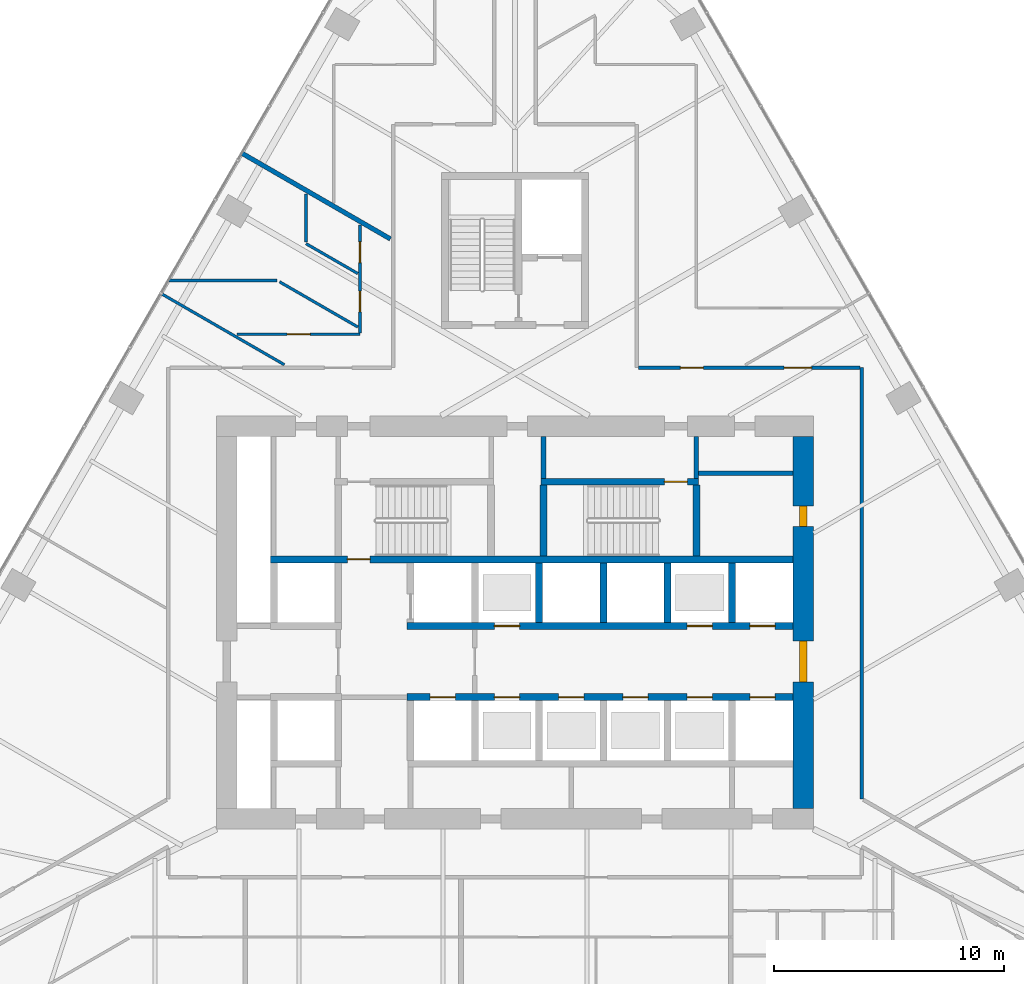
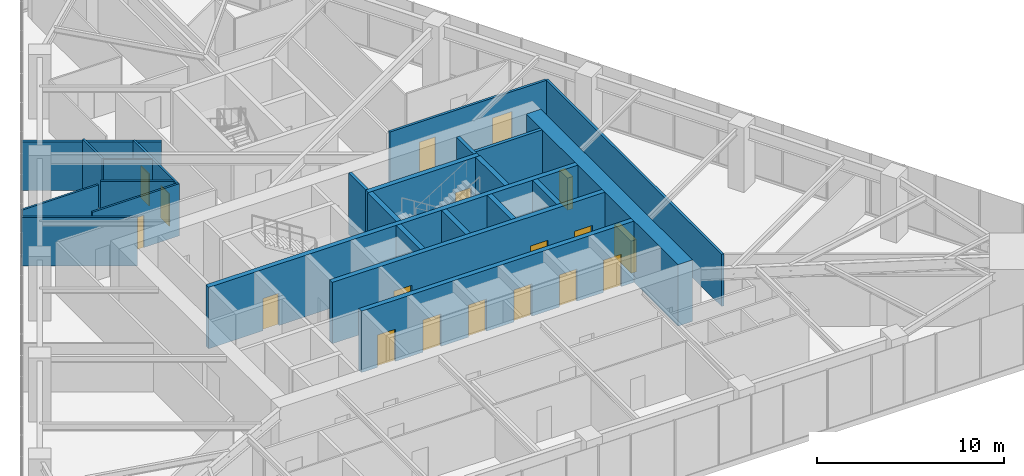
# One storey, part 18 of 21: 24 walls, 18 doors, 18 openings.
"""IFC4 building model written with IfcOpenShell, lengths in metres."""

from ifc_helpers import new_model, si_unit, direction, frame, frame_2d, origin, place, context, subcontext, project, spatial, rectangle, extrude, material, layer, layer_set, type_object, element, fill, save


model = new_model("IFC4")

# Units and contexts
model_context = context("Model", 3, precision=1e-05, world=origin(), true_north=direction((0.0, 1.0)))
body_context = subcontext(model_context, "Body", "Model", "MODEL_VIEW")
ifc_project = project(units=[si_unit("LENGTHUNIT", "METRE"), si_unit("AREAUNIT", "SQUARE_METRE"), si_unit("VOLUMEUNIT", "CUBIC_METRE"), si_unit("PLANEANGLEUNIT", "RADIAN"), si_unit("MASSUNIT", "GRAM", prefix="KILO")], contexts=[model_context])

# Site, building, storey
site_placement = place(None, origin())
site = spatial("IfcSite", under=ifc_project, at=site_placement, CompositionType="ELEMENT")
building_placement = place(site_placement, origin())
building = spatial("IfcBuilding", under=site, at=building_placement, Name="Firuza Gate Tower and Library", CompositionType="ELEMENT")
storey_placement = place(building_placement, frame((0.0, 0.0, 94.60009765625)))
storey = spatial("IfcBuildingStorey", under=building, at=storey_placement, Name="L21", CompositionType="ELEMENT", Elevation=94.60009765625)

# Walls
ifc_material_1 = material(Name="Plasterboard on steel studs", Category="steel")
ifc_layer_1 = layer(ifc_material_1, 0.199951171875)
ifc_layer_set_1 = layer_set([ifc_layer_1], Name="Core partition 200 EI 60")
wall_type_1 = type_object("IfcWallType", Name="Core partition 200 EI 60", PredefinedType="PARTITIONING", material=ifc_layer_set_1)
wall_1_placement = place(storey_placement, frame((83.0, 81.4951171875, 0.0), z_axis=(0.0, 0.0, 1.0), x_axis=(1.0, 0.0, 0.0)))
element("IfcWall", 1, at=wall_1_placement, inside=storey, type_object=wall_type_1, Name="Core partition L21 4", PredefinedType="PARTITIONING", context=body_context, shape_type="SweptSolid", body=[
    extrude(rectangle(XDim=4.10009765625, YDim=0.199951171875, at=frame_2d((2.050048828125, 0.0))), origin(), (0.0, 0.0, 1.0), 4.0),
])
for number, where, z_axis, x_axis, name in (
    (2, (76.239990234375, 81.280029296875, 0.0), (0.0, 0.0, 1.0), (0.0, 1.0, 0.0), "Core partition L21 13"),
    (3, (82.89990234375, 81.280029296875, 0.0), (0.0, 0.0, 1.0), (0.0, 1.0, 0.0), "Core partition L21 15"),
):
    element("IfcWall", number, at=place(storey_placement, frame(where, z_axis=z_axis, x_axis=x_axis)), inside=storey, type_object=wall_type_1, Name=name, PredefinedType="PARTITIONING", context=body_context, shape_type="SweptSolid", body=[
        extrude(rectangle(XDim=1.820068359375, YDim=0.199951171875, at=frame_2d((0.91015625, 0.0))), origin(), (0.0, 0.0, 1.0), 4.0),
    ])

# Wall, openings, doors
ifc_material_2 = material(Name="Concrete C80/95", Category="concrete")
ifc_layer_2 = layer(ifc_material_2, 0.300048828125)
ifc_layer_set_2 = layer_set([ifc_layer_2], Name="Core wall 300 C80/95")
wall_type_2 = type_object("IfcWallType", Name="Core wall 300 C80/95", PredefinedType="SHEAR", material=ifc_layer_set_2)
wall_2_placement = place(storey_placement, frame((70.300048828125, 71.75, 0.0), z_axis=(0.0, 0.0, 1.0), x_axis=(1.0, 0.0, 0.0)))
wall_2 = element("IfcWall", 4, at=wall_2_placement, inside=storey, type_object=wall_type_2, Name="Core wall L21 8", PredefinedType="SHEAR", context=body_context, shape_type="SweptSolid", body=[
    extrude(rectangle(XDim=16.800048828125, YDim=0.300048828125, at=frame_2d((8.39990234375, 0.0))), origin(), (0.0, 0.0, 1.0), 4.0),
])
opening_1_placement = place(wall_2_placement, frame((1.0, 0.0, 0.0)))
opening_1 = element("IfcOpeningElement", 5, at=opening_1_placement, cuts=wall_2, Name="Opening LD-FF1-L21", PredefinedType="OPENING", context=body_context, shape_type="SweptSolid", body=[
    extrude(rectangle(XDim=1.10009765625, YDim=2.10009765625, at=frame_2d((0.550048828125, 1.050048828125))), frame((0.0, 0.16015625, 0.0), z_axis=(0.0, -1.0, 0.0), x_axis=(1.0, 0.0, 0.0)), (0.0, 0.0, 1.0), 0.320068359375),
])
opening_2_placement = place(wall_2_placement, frame((3.800048828125, 0.0, 0.0)))
opening_2 = element("IfcOpeningElement", 6, at=opening_2_placement, cuts=wall_2, Name="Opening LD-LR1-L21", PredefinedType="OPENING", context=body_context, shape_type="SweptSolid", body=[
    extrude(rectangle(XDim=1.10009765625, YDim=2.10009765625, at=frame_2d((0.550048828125, 1.050048828125))), frame((0.0, 0.16015625, 0.0), z_axis=(0.0, -1.0, 0.0), x_axis=(1.0, 0.0, 0.0)), (0.0, 0.0, 1.0), 0.320068359375),
])
opening_3_placement = place(wall_2_placement, frame((6.60009765625, 0.0, 0.0)))
opening_3 = element("IfcOpeningElement", 7, at=opening_3_placement, cuts=wall_2, Name="Opening LD-LR2-L21", PredefinedType="OPENING", context=body_context, shape_type="SweptSolid", body=[
    extrude(rectangle(XDim=1.10009765625, YDim=2.10009765625, at=frame_2d((0.550048828125, 1.050048828125))), frame((0.0, 0.16015625, 0.0), z_axis=(0.0, -1.0, 0.0), x_axis=(1.0, 0.0, 0.0)), (0.0, 0.0, 1.0), 0.320068359375),
])
opening_4_placement = place(wall_2_placement, frame((9.39990234375, 0.0, 0.0)))
opening_4 = element("IfcOpeningElement", 8, at=opening_4_placement, cuts=wall_2, Name="Opening LD-LR3-L21", PredefinedType="OPENING", context=body_context, shape_type="SweptSolid", body=[
    extrude(rectangle(XDim=1.10009765625, YDim=2.10009765625, at=frame_2d((0.550048828125, 1.050048828125))), frame((0.0, 0.16015625, 0.0), z_axis=(0.0, -1.0, 0.0), x_axis=(1.0, 0.0, 0.0)), (0.0, 0.0, 1.0), 0.320068359375),
])
opening_5_placement = place(wall_2_placement, frame((12.199951171875, 0.0, 0.0)))
opening_5 = element("IfcOpeningElement", 9, at=opening_5_placement, cuts=wall_2, Name="Opening LD-LR5-L21", PredefinedType="OPENING", context=body_context, shape_type="SweptSolid", body=[
    extrude(rectangle(XDim=1.10009765625, YDim=2.10009765625, at=frame_2d((0.550048828125, 1.050048828125))), frame((0.0, 0.16015625, 0.0), z_axis=(0.0, -1.0, 0.0), x_axis=(1.0, 0.0, 0.0)), (0.0, 0.0, 1.0), 0.320068359375),
])
opening_6_placement = place(wall_2_placement, frame((14.925048828125, 0.0, 0.0)))
opening_6 = element("IfcOpeningElement", 10, at=opening_6_placement, cuts=wall_2, Name="Opening LD-LR7-L21", PredefinedType="OPENING", context=body_context, shape_type="SweptSolid", body=[
    extrude(rectangle(XDim=1.10009765625, YDim=2.10009765625, at=frame_2d((0.550048828125, 1.050048828125))), frame((0.0, 0.16015625, 0.0), z_axis=(0.0, -1.0, 0.0), x_axis=(1.0, 0.0, 0.0)), (0.0, 0.0, 1.0), 0.320068359375),
])
ifc_material_3 = material(Name="Stainless steel", Category="steel")
door_type_1 = type_object("IfcDoorType", Name="Lift landing door 1100x2100", OperationType="DOUBLE_DOOR_SLIDING", PredefinedType="DOOR", material=ifc_material_3)
door_1_placement = place(opening_1_placement, origin())
door_1 = element("IfcDoor", 11, at=door_1_placement, inside=storey, type_object=door_type_1, Name="Landing door FF1 L21", OperationType="DOUBLE_DOOR_SLIDING", OverallHeight=2.10009765625, OverallWidth=1.10009765625, PredefinedType="DOOR", context=body_context, shape_type="SweptSolid", body=[
    extrude(rectangle(XDim=1.10009765625, YDim=2.10009765625, at=frame_2d((0.550048828125, 1.050048828125))), frame((0.0, 0.02490234375, 0.0), z_axis=(0.0, -1.0, 0.0), x_axis=(1.0, 0.0, 0.0)), (0.0, 0.0, 1.0), 0.050048828125),
])
fill(opening_1, door_1)
door_2_placement = place(opening_2_placement, origin())
door_2 = element("IfcDoor", 12, at=door_2_placement, inside=storey, type_object=door_type_1, Name="Landing door LR1 L21", OperationType="DOUBLE_DOOR_SLIDING", OverallHeight=2.10009765625, OverallWidth=1.10009765625, PredefinedType="DOOR", context=body_context, shape_type="SweptSolid", body=[
    extrude(rectangle(XDim=1.10009765625, YDim=2.10009765625, at=frame_2d((0.550048828125, 1.050048828125))), frame((0.0, 0.02490234375, 0.0), z_axis=(0.0, -1.0, 0.0), x_axis=(1.0, 0.0, 0.0)), (0.0, 0.0, 1.0), 0.050048828125),
])
fill(opening_2, door_2)
door_3_placement = place(opening_3_placement, origin())
door_3 = element("IfcDoor", 13, at=door_3_placement, inside=storey, type_object=door_type_1, Name="Landing door LR2 L21", OperationType="DOUBLE_DOOR_SLIDING", OverallHeight=2.10009765625, OverallWidth=1.10009765625, PredefinedType="DOOR", context=body_context, shape_type="SweptSolid", body=[
    extrude(rectangle(XDim=1.10009765625, YDim=2.10009765625, at=frame_2d((0.550048828125, 1.050048828125))), frame((0.0, 0.02490234375, 0.0), z_axis=(0.0, -1.0, 0.0), x_axis=(1.0, 0.0, 0.0)), (0.0, 0.0, 1.0), 0.050048828125),
])
fill(opening_3, door_3)
door_4_placement = place(opening_4_placement, origin())
door_4 = element("IfcDoor", 14, at=door_4_placement, inside=storey, type_object=door_type_1, Name="Landing door LR3 L21", OperationType="DOUBLE_DOOR_SLIDING", OverallHeight=2.10009765625, OverallWidth=1.10009765625, PredefinedType="DOOR", context=body_context, shape_type="SweptSolid", body=[
    extrude(rectangle(XDim=1.10009765625, YDim=2.10009765625, at=frame_2d((0.550048828125, 1.050048828125))), frame((0.0, 0.02490234375, 0.0), z_axis=(0.0, -1.0, 0.0), x_axis=(1.0, 0.0, 0.0)), (0.0, 0.0, 1.0), 0.050048828125),
])
fill(opening_4, door_4)
door_5_placement = place(opening_5_placement, origin())
door_5 = element("IfcDoor", 15, at=door_5_placement, inside=storey, type_object=door_type_1, Name="Landing door LR5 L21", OperationType="DOUBLE_DOOR_SLIDING", OverallHeight=2.10009765625, OverallWidth=1.10009765625, PredefinedType="DOOR", context=body_context, shape_type="SweptSolid", body=[
    extrude(rectangle(XDim=1.10009765625, YDim=2.10009765625, at=frame_2d((0.550048828125, 1.050048828125))), frame((0.0, 0.02490234375, 0.0), z_axis=(0.0, -1.0, 0.0), x_axis=(1.0, 0.0, 0.0)), (0.0, 0.0, 1.0), 0.050048828125),
])
fill(opening_5, door_5)
door_6_placement = place(opening_6_placement, origin())
door_6 = element("IfcDoor", 16, at=door_6_placement, inside=storey, type_object=door_type_1, Name="Landing door LR7 L21", OperationType="DOUBLE_DOOR_SLIDING", OverallHeight=2.10009765625, OverallWidth=1.10009765625, PredefinedType="DOOR", context=body_context, shape_type="SweptSolid", body=[
    extrude(rectangle(XDim=1.10009765625, YDim=2.10009765625, at=frame_2d((0.550048828125, 1.050048828125))), frame((0.0, 0.02490234375, 0.0), z_axis=(0.0, -1.0, 0.0), x_axis=(1.0, 0.0, 0.0)), (0.0, 0.0, 1.0), 0.050048828125),
])
fill(opening_6, door_6)

wall_3_placement = place(storey_placement, frame((70.300048828125, 74.85009765625, 0.0), z_axis=(0.0, 0.0, 1.0), x_axis=(1.0, 0.0, 0.0)))
wall_3 = element("IfcWall", 17, at=wall_3_placement, inside=storey, type_object=wall_type_2, Name="Core wall L21 10", PredefinedType="SHEAR", context=body_context, shape_type="SweptSolid", body=[
    extrude(rectangle(XDim=16.800048828125, YDim=0.300048828125, at=frame_2d((8.39990234375, 0.0))), origin(), (0.0, 0.0, 1.0), 4.0),
])
opening_7_placement = place(wall_3_placement, frame((3.800048828125, 0.0, 0.0)))
opening_7 = element("IfcOpeningElement", 18, at=opening_7_placement, cuts=wall_3, Name="Opening LD-LR4-L21", PredefinedType="OPENING", context=body_context, shape_type="SweptSolid", body=[
    extrude(rectangle(XDim=1.10009765625, YDim=2.10009765625, at=frame_2d((0.550048828125, 1.050048828125))), frame((0.0, 0.16015625, 0.0), z_axis=(0.0, -1.0, 0.0), x_axis=(1.0, 0.0, 0.0)), (0.0, 0.0, 1.0), 0.320068359375),
])
opening_8_placement = place(wall_3_placement, frame((12.199951171875, 0.0, 0.0)))
opening_8 = element("IfcOpeningElement", 19, at=opening_8_placement, cuts=wall_3, Name="Opening LD-LR6-L21", PredefinedType="OPENING", context=body_context, shape_type="SweptSolid", body=[
    extrude(rectangle(XDim=1.10009765625, YDim=2.10009765625, at=frame_2d((0.550048828125, 1.050048828125))), frame((0.0, 0.16015625, 0.0), z_axis=(0.0, -1.0, 0.0), x_axis=(1.0, 0.0, 0.0)), (0.0, 0.0, 1.0), 0.320068359375),
])
opening_9_placement = place(wall_3_placement, frame((14.925048828125, 0.0, 0.0)))
opening_9 = element("IfcOpeningElement", 20, at=opening_9_placement, cuts=wall_3, Name="Opening LD-LR8-L21", PredefinedType="OPENING", context=body_context, shape_type="SweptSolid", body=[
    extrude(rectangle(XDim=1.10009765625, YDim=2.10009765625, at=frame_2d((0.550048828125, 1.050048828125))), frame((0.0, 0.16015625, 0.0), z_axis=(0.0, -1.0, 0.0), x_axis=(1.0, 0.0, 0.0)), (0.0, 0.0, 1.0), 0.320068359375),
])
door_7_placement = place(opening_7_placement, origin())
door_7 = element("IfcDoor", 21, at=door_7_placement, inside=storey, type_object=door_type_1, Name="Landing door LR4 L21", OperationType="DOUBLE_DOOR_SLIDING", OverallHeight=2.10009765625, OverallWidth=1.10009765625, PredefinedType="DOOR", context=body_context, shape_type="SweptSolid", body=[
    extrude(rectangle(XDim=1.10009765625, YDim=2.10009765625, at=frame_2d((0.550048828125, 1.050048828125))), frame((0.0, 0.02490234375, 0.0), z_axis=(0.0, -1.0, 0.0), x_axis=(1.0, 0.0, 0.0)), (0.0, 0.0, 1.0), 0.050048828125),
])
fill(opening_7, door_7)
door_8_placement = place(opening_8_placement, origin())
door_8 = element("IfcDoor", 22, at=door_8_placement, inside=storey, type_object=door_type_1, Name="Landing door LR6 L21", OperationType="DOUBLE_DOOR_SLIDING", OverallHeight=2.10009765625, OverallWidth=1.10009765625, PredefinedType="DOOR", context=body_context, shape_type="SweptSolid", body=[
    extrude(rectangle(XDim=1.10009765625, YDim=2.10009765625, at=frame_2d((0.550048828125, 1.050048828125))), frame((0.0, 0.02490234375, 0.0), z_axis=(0.0, -1.0, 0.0), x_axis=(1.0, 0.0, 0.0)), (0.0, 0.0, 1.0), 0.050048828125),
])
fill(opening_8, door_8)
door_9_placement = place(opening_9_placement, origin())
door_9 = element("IfcDoor", 23, at=door_9_placement, inside=storey, type_object=door_type_1, Name="Landing door LR8 L21", OperationType="DOUBLE_DOOR_SLIDING", OverallHeight=2.10009765625, OverallWidth=1.10009765625, PredefinedType="DOOR", context=body_context, shape_type="SweptSolid", body=[
    extrude(rectangle(XDim=1.10009765625, YDim=2.10009765625, at=frame_2d((0.550048828125, 1.050048828125))), frame((0.0, 0.02490234375, 0.0), z_axis=(0.0, -1.0, 0.0), x_axis=(1.0, 0.0, 0.0)), (0.0, 0.0, 1.0), 0.050048828125),
])
fill(opening_9, door_9)

# Walls
for number, where, z_axis, x_axis, name in (
    (24, (76.050048828125, 75.0, 0.0), (0.0, 0.0, 1.0), (0.0, 1.0, 0.0), "Core wall L21 20"),
    (25, (78.85009765625, 75.0, 0.0), (0.0, 0.0, 1.0), (0.0, 1.0, 0.0), "Core wall L21 22"),
    (26, (81.64990234375, 75.0, 0.0), (0.0, 0.0, 1.0), (0.0, 1.0, 0.0), "Core wall L21 24"),
    (27, (84.449951171875, 75.0, 0.0), (0.0, 0.0, 1.0), (0.0, 1.0, 0.0), "Core wall L21 26"),
):
    element("IfcWall", number, at=place(storey_placement, frame(where, z_axis=z_axis, x_axis=x_axis)), inside=storey, type_object=wall_type_2, Name=name, PredefinedType="SHEAR", context=body_context, shape_type="SweptSolid", body=[
        extrude(rectangle(XDim=2.60009765625, YDim=0.300048828125, at=frame_2d((1.300048828125, 0.0))), origin(), (0.0, 0.0, 1.0), 4.0),
    ])

# Wall, opening, door
wall_4_placement = place(storey_placement, frame((64.35009765625, 77.75, 0.0), z_axis=(0.0, 0.0, 1.0), x_axis=(1.0, 0.0, 0.0)))
wall_4 = element("IfcWall", 28, at=wall_4_placement, inside=storey, type_object=wall_type_2, Name="Core wall L21 27", PredefinedType="SHEAR", context=body_context, shape_type="SweptSolid", body=[
    extrude(rectangle(XDim=22.75, YDim=0.300048828125, at=frame_2d((11.375, 0.0))), origin(), (0.0, 0.0, 1.0), 4.0),
])
opening_10_placement = place(wall_4_placement, frame((3.344970703125, 0.0, 0.0)))
opening_10 = element("IfcOpeningElement", 29, at=opening_10_placement, cuts=wall_4, Name="Opening L21-K12", PredefinedType="OPENING", context=body_context, shape_type="SweptSolid", body=[
    extrude(rectangle(XDim=1.0, YDim=2.10009765625, at=frame_2d((0.5, 1.050048828125))), frame((0.0, 0.16015625, 0.0), z_axis=(0.0, -1.0, 0.0), x_axis=(1.0, 0.0, 0.0)), (0.0, 0.0, 1.0), 0.320068359375),
])
ifc_material_4 = material(Name="Steel", Category="steel")
door_type_2 = type_object("IfcDoorType", Name="Fire door 1000x2100 FD90", OperationType="NOTDEFINED", PredefinedType="DOOR", material=ifc_material_4)
door_10_placement = place(opening_10_placement, origin())
door_10 = element("IfcDoor", 30, at=door_10_placement, inside=storey, type_object=door_type_2, Name="Door L21-K12", OperationType="SINGLE_SWING_LEFT", OverallHeight=2.10009765625, OverallWidth=1.0, PredefinedType="DOOR", context=body_context, shape_type="SweptSolid", body=[
    extrude(rectangle(XDim=1.0, YDim=2.10009765625, at=frame_2d((0.5, 1.050048828125))), frame((0.0, 0.02490234375, 0.0), z_axis=(0.0, -1.0, 0.0), x_axis=(1.0, 0.0, 0.0)), (0.0, 0.0, 1.0), 0.050048828125),
])
fill(opening_10, door_10)

wall_5_placement = place(storey_placement, frame((76.139892578125, 81.1298828125, 0.0), z_axis=(0.0, 0.0, 1.0), x_axis=(1.0, 0.0, 0.0)))
wall_5 = element("IfcWall", 31, at=wall_5_placement, inside=storey, type_object=wall_type_2, Name="Core wall L21 29", PredefinedType="SHEAR", context=body_context, shape_type="SweptSolid", body=[
    extrude(rectangle(XDim=6.860107421875, YDim=0.300048828125, at=frame_2d((3.43017578125, 0.0))), origin(), (0.0, 0.0, 1.0), 4.0),
])
opening_11_placement = place(wall_5_placement, frame((5.364990234375, 0.0, 0.0)))
opening_11 = element("IfcOpeningElement", 32, at=opening_11_placement, cuts=wall_5, Name="Opening L21-K15", PredefinedType="OPENING", context=body_context, shape_type="SweptSolid", body=[
    extrude(rectangle(XDim=1.0, YDim=2.10009765625, at=frame_2d((0.5, 1.050048828125))), frame((0.0, 0.16015625, 0.0), z_axis=(0.0, -1.0, 0.0), x_axis=(1.0, 0.0, 0.0)), (0.0, 0.0, 1.0), 0.320068359375),
])
door_11_placement = place(opening_11_placement, origin())
door_11 = element("IfcDoor", 33, at=door_11_placement, inside=storey, type_object=door_type_2, Name="Door L21-K15", OperationType="SINGLE_SWING_RIGHT", OverallHeight=2.10009765625, OverallWidth=1.0, PredefinedType="DOOR", context=body_context, shape_type="SweptSolid", body=[
    extrude(rectangle(XDim=1.0, YDim=2.10009765625, at=frame_2d((0.5, 1.050048828125))), frame((0.0, 0.02490234375, 0.0), z_axis=(0.0, -1.0, 0.0), x_axis=(1.0, 0.0, 0.0)), (0.0, 0.0, 1.0), 0.050048828125),
])
fill(opening_11, door_11)

# Walls
for number, where, z_axis, x_axis, name in (
    (34, (76.239990234375, 77.89990234375, 0.0), (0.0, 0.0, 1.0), (0.0, 1.0, 0.0), "Core wall L21 32"),
    (35, (82.89990234375, 77.89990234375, 0.0), (0.0, 0.0, 1.0), (0.0, 1.0, 0.0), "Core wall L21 33"),
):
    element("IfcWall", number, at=place(storey_placement, frame(where, z_axis=z_axis, x_axis=x_axis)), inside=storey, type_object=wall_type_2, Name=name, PredefinedType="SHEAR", context=body_context, shape_type="SweptSolid", body=[
        extrude(rectangle(XDim=3.080078125, YDim=0.300048828125, at=frame_2d((1.5400390625, 0.0))), origin(), (0.0, 0.0, 1.0), 4.0),
    ])

# Wall, openings, doors
ifc_material_5 = material(Name="Concrete C80/95", Category="concrete")
ifc_layer_3 = layer(ifc_material_5, 0.89990234375)
ifc_layer_set_3 = layer_set([ifc_layer_3], Name="Core wall 900 C80/95")
wall_type_3 = type_object("IfcWallType", Name="Core wall 900 C80/95", PredefinedType="SHEAR", material=ifc_layer_set_3)
wall_6_placement = place(storey_placement, frame((87.550048828125, 66.89990234375, 0.0), z_axis=(0.0, 0.0, 1.0), x_axis=(0.0, 1.0, 0.0)))
wall_6 = element("IfcWall", 36, at=wall_6_placement, inside=storey, type_object=wall_type_3, Name="Core wall L21 4", PredefinedType="SHEAR", context=body_context, shape_type="SweptSolid", body=[
    extrude(rectangle(XDim=16.2001953125, YDim=0.89990234375, at=frame_2d((8.10009765625, 0.0))), origin(), (0.0, 0.0, 1.0), 4.0),
])
opening_12_placement = place(wall_6_placement, frame((5.5, 0.0, 0.0)))
opening_12 = element("IfcOpeningElement", 37, at=opening_12_placement, cuts=wall_6, Name="Opening L21-K23", PredefinedType="OPENING", context=body_context, shape_type="SweptSolid", body=[
    extrude(rectangle(XDim=1.800048828125, YDim=2.10009765625, at=frame_2d((0.89990234375, 1.050048828125))), frame((0.0, 0.4599609375, 0.0), z_axis=(0.0, -1.0, 0.0), x_axis=(1.0, 0.0, 0.0)), (0.0, 0.0, 1.0), 0.919921875),
])
opening_13_placement = place(wall_6_placement, frame((12.2724609375, 0.0, 0.0)))
opening_13 = element("IfcOpeningElement", 38, at=opening_13_placement, cuts=wall_6, Name="Opening L21-K31", PredefinedType="OPENING", context=body_context, shape_type="SweptSolid", body=[
    extrude(rectangle(XDim=0.89990234375, YDim=2.10009765625, at=frame_2d((0.449951171875, 1.050048828125))), frame((0.0, 0.4599609375, 0.0), z_axis=(0.0, -1.0, 0.0), x_axis=(1.0, 0.0, 0.0)), (0.0, 0.0, 1.0), 0.919921875),
])
ifc_material_6 = material(Name="Steel", Category="steel")
door_type_3 = type_object("IfcDoorType", Name="Fire door 1800x2100 FD30S", OperationType="NOTDEFINED", PredefinedType="DOOR", material=ifc_material_6)
door_12_placement = place(opening_12_placement, origin())
door_12 = element("IfcDoor", 39, at=door_12_placement, inside=storey, type_object=door_type_3, Name="Door L21-K23", OperationType="SINGLE_SWING_RIGHT", OverallHeight=2.10009765625, OverallWidth=1.800048828125, PredefinedType="DOOR", context=body_context, shape_type="SweptSolid", body=[
    extrude(rectangle(XDim=1.800048828125, YDim=2.10009765625, at=frame_2d((0.89990234375, 1.050048828125))), frame((0.0, 0.169921875, 0.0), z_axis=(0.0, -1.0, 0.0), x_axis=(1.0, 0.0, 0.0)), (0.0, 0.0, 1.0), 0.33984375),
])
fill(opening_12, door_12)
ifc_material_7 = material(Name="Steel", Category="steel")
door_type_4 = type_object("IfcDoorType", Name="Fire door 900x2100 FD30S", OperationType="NOTDEFINED", PredefinedType="DOOR", material=ifc_material_7)
door_13_placement = place(opening_13_placement, origin())
door_13 = element("IfcDoor", 40, at=door_13_placement, inside=storey, type_object=door_type_4, Name="Door L21-K31", OperationType="SINGLE_SWING_RIGHT", OverallHeight=2.10009765625, OverallWidth=0.89990234375, PredefinedType="DOOR", context=body_context, shape_type="SweptSolid", body=[
    extrude(rectangle(XDim=0.89990234375, YDim=2.10009765625, at=frame_2d((0.449951171875, 1.050048828125))), frame((0.0, 0.169921875, 0.0), z_axis=(0.0, -1.0, 0.0), x_axis=(1.0, 0.0, 0.0)), (0.0, 0.0, 1.0), 0.33984375),
])
fill(opening_13, door_13)

ifc_material_8 = material(Name="Gypsum board partition")
ifc_layer_4 = layer(ifc_material_8, 0.14990234375)
ifc_layer_set_4 = layer_set([ifc_layer_4], Name="Corridor wall 150 double board on steel studs")
wall_type_4 = type_object("IfcWallType", Name="Corridor wall 150 double board on steel studs", PredefinedType="PARTITIONING", material=ifc_layer_set_4)
wall_7_placement = place(storey_placement, frame((90.0244140625, 86.10009765625, 0.0), z_axis=(0.0, 0.0, 1.0), x_axis=(-1.0, 0.0, 0.0)))
wall_7 = element("IfcWall", 41, at=wall_7_placement, inside=storey, type_object=wall_type_4, Name="f:L21:w006", PredefinedType="PARTITIONING", context=body_context, shape_type="SweptSolid", body=[
    extrude(rectangle(XDim=9.6494140625, YDim=0.14990234375, at=frame_2d((4.82470703125, 0.0))), origin(), (0.0, 0.0, 1.0), 3.39990234375),
])
opening_14_placement = place(wall_7_placement, frame((2.1025390625, 0.0, 0.0)))
opening_14 = element("IfcOpeningElement", 42, at=opening_14_placement, cuts=wall_7, Name="Opening L21-14", PredefinedType="OPENING", context=body_context, shape_type="SweptSolid", body=[
    extrude(rectangle(XDim=1.199951171875, YDim=2.10009765625, at=frame_2d((0.60009765625, 1.050048828125))), frame((0.0, 0.0849609375, 0.0), z_axis=(0.0, -1.0, 0.0), x_axis=(1.0, 0.0, 0.0)), (0.0, 0.0, 1.0), 0.169921875),
])
opening_15_placement = place(wall_7_placement, frame((6.82275390625, 0.0, 0.0)))
opening_15 = element("IfcOpeningElement", 43, at=opening_15_placement, cuts=wall_7, Name="Opening L21-15", PredefinedType="OPENING", context=body_context, shape_type="SweptSolid", body=[
    extrude(rectangle(XDim=1.0, YDim=2.10009765625, at=frame_2d((0.5, 1.050048828125))), frame((0.0, 0.0849609375, 0.0), z_axis=(0.0, -1.0, 0.0), x_axis=(1.0, 0.0, 0.0)), (0.0, 0.0, 1.0), 0.169921875),
])
ifc_material_9 = material(Name="Steel door and timber leaf", Category="steel")
door_type_5 = type_object("IfcDoorType", Name="Fire door 1000 x 2100 steel frame, timber leaf", OperationType="NOTDEFINED", PredefinedType="DOOR", material=ifc_material_9)
door_14_placement = place(opening_15_placement, origin())
door_14 = element("IfcDoor", 44, at=door_14_placement, inside=storey, type_object=door_type_5, Name="f:L21:d015", OperationType="SINGLE_SWING_LEFT", OverallHeight=2.10009765625, OverallWidth=1.0, PredefinedType="DOOR", context=body_context, shape_type="SweptSolid", body=[
    extrude(rectangle(XDim=1.0, YDim=2.10009765625, at=frame_2d((0.5, 1.050048828125))), frame((0.0, 0.02490234375, 0.0), z_axis=(0.0, -1.0, 0.0), x_axis=(1.0, 0.0, 0.0)), (0.0, 0.0, 1.0), 0.050048828125),
])
fill(opening_15, door_14)
ifc_material_10 = material(Name="Steel door and timber leaf", Category="steel")
door_type_6 = type_object("IfcDoorType", Name="Fire door 1200 x 2100 steel frame, double leaf", OperationType="NOTDEFINED", PredefinedType="DOOR", material=ifc_material_10)
door_15_placement = place(opening_14_placement, origin())
door_15 = element("IfcDoor", 45, at=door_15_placement, inside=storey, type_object=door_type_6, Name="f:L21:d014", OperationType="DOUBLE_DOOR_SINGLE_SWING", OverallHeight=2.10009765625, OverallWidth=1.199951171875, PredefinedType="DOOR", context=body_context, shape_type="SweptSolid", body=[
    extrude(rectangle(XDim=1.199951171875, YDim=2.10009765625, at=frame_2d((0.60009765625, 1.050048828125))), frame((0.0, 0.02490234375, 0.0), z_axis=(0.0, -1.0, 0.0), x_axis=(1.0, 0.0, 0.0)), (0.0, 0.0, 1.0), 0.050048828125),
])
fill(opening_14, door_15)

# Walls
wall_8_placement = place(storey_placement, frame((90.10009765625, 67.3212890625, 0.0), z_axis=(0.0, 0.0, 1.0), x_axis=(0.0, 1.0, 0.0)))
element("IfcWall", 46, at=wall_8_placement, inside=storey, type_object=wall_type_4, Name="f:L21:w027", PredefinedType="PARTITIONING", context=body_context, shape_type="SweptSolid", body=[
    extrude(rectangle(XDim=18.7783203125, YDim=0.14990234375, at=frame_2d((9.38916015625, 0.0))), origin(), (0.0, 0.0, 1.0), 3.39990234375),
])
ifc_material_11 = material(Name="Gypsum board partition")
ifc_layer_5 = layer(ifc_material_11, 0.199951171875)
ifc_layer_set_5 = layer_set([ifc_layer_5], Name="Demising wall 200 acoustic double stud")
wall_type_5 = type_object("IfcWallType", Name="Demising wall 200 acoustic double stud", PredefinedType="PARTITIONING", material=ifc_layer_set_5)
wall_9_placement = place(storey_placement, frame((69.572998046875, 91.705810546875, 0.0), z_axis=(0.0, 0.0, 1.0), x_axis=(-0.866024622953, 0.500001352437, 0.0)))
element("IfcWall", 47, at=wall_9_placement, inside=storey, type_object=wall_type_5, Name="f:L21:w050", PredefinedType="PARTITIONING", context=body_context, shape_type="SweptSolid", body=[
    extrude(rectangle(XDim=7.451171875, YDim=0.199951171875, at=frame_2d((3.7255859375, 0.0))), origin(), (0.0, 0.0, 1.0), 3.164794921875),
])

# Wall, opening, door
ifc_material_12 = material(Name="Gypsum board partition")
ifc_layer_6 = layer(ifc_material_12, 0.1201171875)
ifc_layer_set_6 = layer_set([ifc_layer_6], Name="Wet-area partition 120 moisture-resistant board")
wall_type_6 = type_object("IfcWallType", Name="Wet-area partition 120 moisture-resistant board", PredefinedType="PARTITIONING", material=ifc_layer_set_6)
wall_10_placement = place(storey_placement, frame((62.896240234375, 87.550048828125, 0.0), z_axis=(0.0, 0.0, 1.0), x_axis=(1.0, 0.0, 0.0)))
wall_10 = element("IfcWall", 48, at=wall_10_placement, inside=storey, type_object=wall_type_6, Name="f:L21:w007", PredefinedType="PARTITIONING", context=body_context, shape_type="SweptSolid", body=[
    extrude(rectangle(XDim=5.353759765625, YDim=0.1201171875, at=frame_2d((2.6767578125, 0.0))), origin(), (0.0, 0.0, 1.0), 3.39990234375),
])
opening_16_placement = place(wall_10_placement, frame((2.177001953125, 0.0, 0.0)))
opening_16 = element("IfcOpeningElement", 49, at=opening_16_placement, cuts=wall_10, Name="Opening L21-16", PredefinedType="OPENING", context=body_context, shape_type="SweptSolid", body=[
    extrude(rectangle(XDim=1.0, YDim=2.10009765625, at=frame_2d((0.5, 1.050048828125))), frame((0.0, 0.070068359375, 0.0), z_axis=(0.0, -1.0, 0.0), x_axis=(1.0, 0.0, 0.0)), (0.0, 0.0, 1.0), 0.14013671875),
])
ifc_material_13 = material(Name="Timber door", Category="wood")
door_type_7 = type_object("IfcDoorType", Name="Door 1000 x 2100 timber leaf", OperationType="NOTDEFINED", PredefinedType="DOOR", material=ifc_material_13)
door_16_placement = place(opening_16_placement, origin())
door_16 = element("IfcDoor", 50, at=door_16_placement, inside=storey, type_object=door_type_7, Name="f:L21:d016", OperationType="SINGLE_SWING_RIGHT", OverallHeight=2.10009765625, OverallWidth=1.0, PredefinedType="DOOR", context=body_context, shape_type="SweptSolid", body=[
    extrude(rectangle(XDim=1.0, YDim=2.10009765625, at=frame_2d((0.5, 1.050048828125))), frame((0.0, 0.02490234375, 0.0), z_axis=(0.0, -1.0, 0.0), x_axis=(1.0, 0.0, 0.0)), (0.0, 0.0, 1.0), 0.050048828125),
])
fill(opening_16, door_16)

# Wall
wall_11_placement = place(storey_placement, frame((59.926513671875, 89.89990234375, 0.0), z_axis=(0.0, 0.0, 1.0), x_axis=(1.0, 0.0, 0.0)))
element("IfcWall", 51, at=wall_11_placement, inside=storey, type_object=wall_type_6, Name="f:L21:w009", PredefinedType="PARTITIONING", context=body_context, shape_type="SweptSolid", body=[
    extrude(rectangle(XDim=4.71435546875, YDim=0.1201171875, at=frame_2d((2.357177734375, 0.0))), origin(), (0.0, 0.0, 1.0), 3.164794921875),
])

# Wall, openings, doors
wall_12_placement = place(storey_placement, frame((68.25, 87.610107421875, 0.0), z_axis=(0.0, 0.0, 1.0), x_axis=(0.0, 1.0, 0.0)))
wall_12 = element("IfcWall", 52, at=wall_12_placement, inside=storey, type_object=wall_type_6, Name="f:L21:w043", PredefinedType="PARTITIONING", context=body_context, shape_type="SweptSolid", body=[
    extrude(rectangle(XDim=4.7041015625, YDim=0.1201171875, at=frame_2d((2.35205078125, 0.0))), origin(), (0.0, 0.0, 1.0), 3.322021484375),
])
opening_17_placement = place(wall_12_placement, frame((0.919921875, 0.0, 0.0)))
opening_17 = element("IfcOpeningElement", 53, at=opening_17_placement, cuts=wall_12, Name="Opening L21-21", PredefinedType="OPENING", context=body_context, shape_type="SweptSolid", body=[
    extrude(rectangle(XDim=0.89990234375, YDim=2.10009765625, at=frame_2d((0.449951171875, 1.050048828125))), frame((0.0, 0.070068359375, 0.0), z_axis=(0.0, -1.0, 0.0), x_axis=(1.0, 0.0, 0.0)), (0.0, 0.0, 1.0), 0.14013671875),
])
opening_18_placement = place(wall_12_placement, frame((3.067138671875, 0.0, 0.0)))
opening_18 = element("IfcOpeningElement", 54, at=opening_18_placement, cuts=wall_12, Name="Opening L21-22", PredefinedType="OPENING", context=body_context, shape_type="SweptSolid", body=[
    extrude(rectangle(XDim=0.89990234375, YDim=2.10009765625, at=frame_2d((0.449951171875, 1.050048828125))), frame((0.0, 0.070068359375, 0.0), z_axis=(0.0, -1.0, 0.0), x_axis=(1.0, 0.0, 0.0)), (0.0, 0.0, 1.0), 0.14013671875),
])
ifc_material_14 = material(Name="Timber door", Category="wood")
door_type_8 = type_object("IfcDoorType", Name="Door 900 x 2100 timber leaf", OperationType="NOTDEFINED", PredefinedType="DOOR", material=ifc_material_14)
door_17_placement = place(opening_17_placement, origin())
door_17 = element("IfcDoor", 55, at=door_17_placement, inside=storey, type_object=door_type_8, Name="f:L21:d021", OperationType="SINGLE_SWING_LEFT", OverallHeight=2.10009765625, OverallWidth=0.89990234375, PredefinedType="DOOR", context=body_context, shape_type="SweptSolid", body=[
    extrude(rectangle(XDim=0.89990234375, YDim=2.10009765625, at=frame_2d((0.449951171875, 1.050048828125))), frame((0.0, 0.02490234375, 0.0), z_axis=(0.0, -1.0, 0.0), x_axis=(1.0, 0.0, 0.0)), (0.0, 0.0, 1.0), 0.050048828125),
])
fill(opening_17, door_17)
door_18_placement = place(opening_18_placement, origin())
door_18 = element("IfcDoor", 56, at=door_18_placement, inside=storey, type_object=door_type_8, Name="f:L21:d022", OperationType="SINGLE_SWING_RIGHT", OverallHeight=2.10009765625, OverallWidth=0.89990234375, PredefinedType="DOOR", context=body_context, shape_type="SweptSolid", body=[
    extrude(rectangle(XDim=0.89990234375, YDim=2.10009765625, at=frame_2d((0.449951171875, 1.050048828125))), frame((0.0, 0.02490234375, 0.0), z_axis=(0.0, -1.0, 0.0), x_axis=(1.0, 0.0, 0.0)), (0.0, 0.0, 1.0), 0.050048828125),
])
fill(opening_18, door_18)

# Walls
wall_13_placement = place(storey_placement, frame((65.89990234375, 91.5693359375, 0.0), z_axis=(0.0, 0.0, 1.0), x_axis=(0.0, 1.0, 0.0)))
element("IfcWall", 57, at=wall_13_placement, inside=storey, type_object=wall_type_6, Name="f:L21:w045", PredefinedType="PARTITIONING", context=body_context, shape_type="SweptSolid", body=[
    extrude(rectangle(XDim=2.101318359375, YDim=0.1201171875, at=frame_2d((1.05078125, 0.0))), origin(), (0.0, 0.0, 1.0), 3.39990234375),
])
wall_14_placement = place(storey_placement, frame((68.1552734375, 90.197509765625, 0.0), z_axis=(0.0, 0.0, 1.0), x_axis=(-0.866024771944, 0.500001094379, 0.0)))
element("IfcWall", 58, at=wall_14_placement, inside=storey, type_object=wall_type_6, Name="f:L21:w051", PredefinedType="PARTITIONING", context=body_context, shape_type="SweptSolid", body=[
    extrude(rectangle(XDim=2.60400390625, YDim=0.1201171875, at=frame_2d((1.302001953125, 0.0))), origin(), (0.0, 0.0, 1.0), 3.39990234375),
])
wall_15_placement = place(storey_placement, frame((68.1552734375, 87.870849609375, 0.0), z_axis=(0.0, 0.0, 1.0), x_axis=(-0.866041060244, 0.499972881236, 0.0)))
element("IfcWall", 59, at=wall_15_placement, inside=storey, type_object=wall_type_6, Name="f:L21:w052", PredefinedType="PARTITIONING", context=body_context, shape_type="SweptSolid", body=[
    extrude(rectangle(XDim=3.938232421875, YDim=0.1201171875, at=frame_2d((1.96923828125, 0.0))), origin(), (0.0, 0.0, 1.0), 3.39990234375),
])
wall_16_placement = place(storey_placement, frame((64.95263671875, 86.23046875, 0.0), z_axis=(0.0, 0.0, 1.0), x_axis=(-0.866029863972, 0.499992274648, 0.0)))
element("IfcWall", 60, at=wall_16_placement, inside=storey, type_object=wall_type_6, Name="f:L21:w053", PredefinedType="PARTITIONING", context=body_context, shape_type="SweptSolid", body=[
    extrude(rectangle(XDim=6.1875, YDim=0.1201171875, at=frame_2d((3.09375, 0.0))), origin(), (0.0, 0.0, 1.0), 3.164794921875),
])

save(model, "model.ifc")
